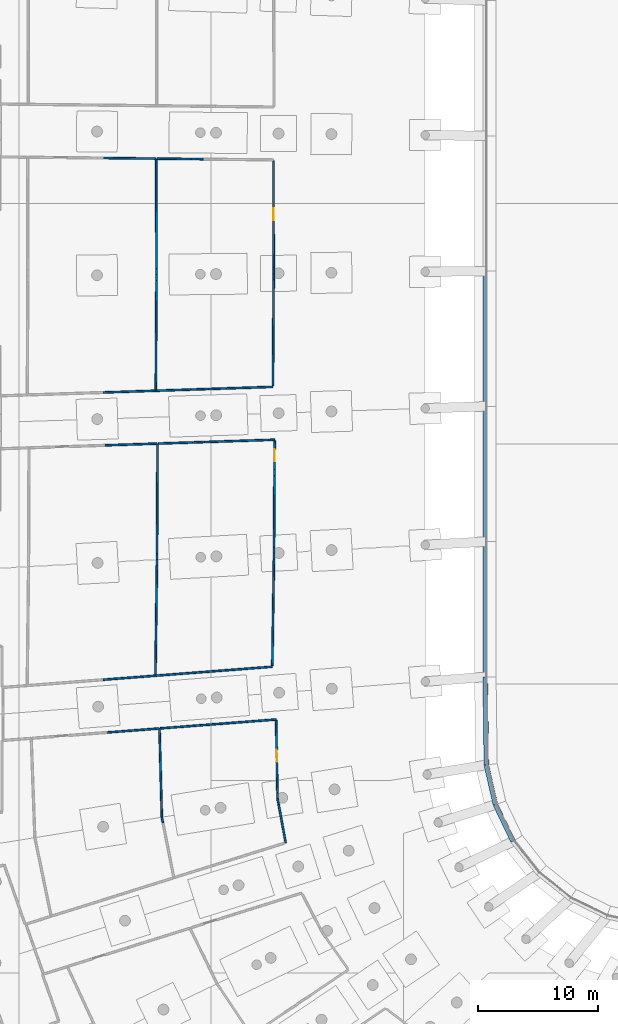
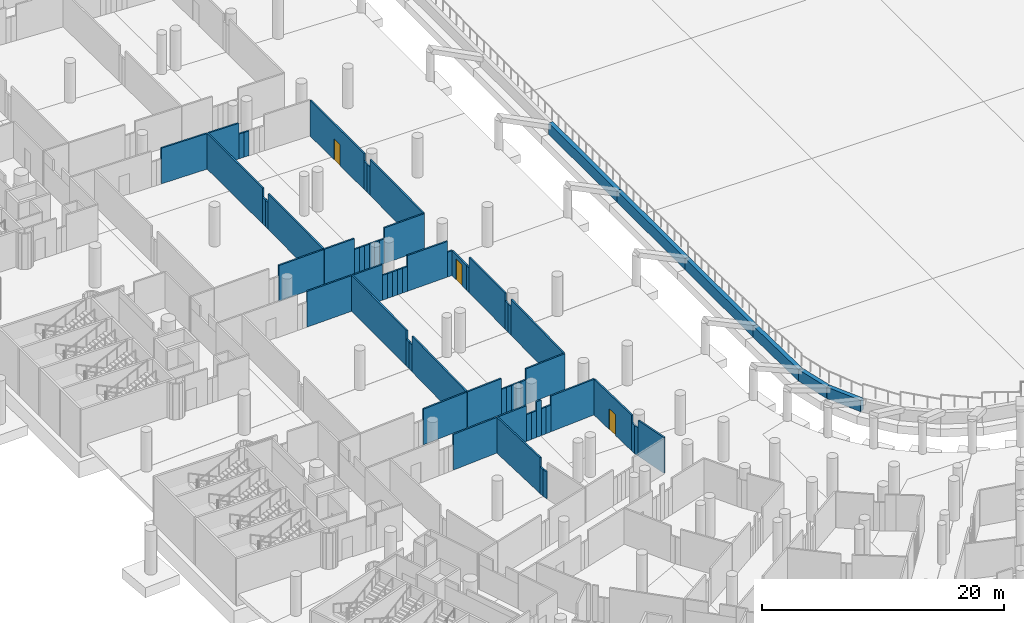
# One storey, part 48 of 142: 69 walls, 3 doors, 3 openings.
"""IFC4 building model written with IfcOpenShell, lengths in metres."""

from ifc_helpers import new_model, si_unit, direction, frame, frame_2d, origin, place, context, subcontext, project, spatial, rectangle, extrude, material, layer, layer_set, type_object, element, fill, save


model = new_model("IFC4")

# Units and contexts
model_context = context("Model", 3, precision=1e-05, world=origin(), true_north=direction((0.0, 1.0)))
body_context = subcontext(model_context, "Body", "Model", "MODEL_VIEW")
ifc_project = project(units=[si_unit("LENGTHUNIT", "METRE"), si_unit("AREAUNIT", "SQUARE_METRE"), si_unit("VOLUMEUNIT", "CUBIC_METRE"), si_unit("PLANEANGLEUNIT", "RADIAN"), si_unit("MASSUNIT", "GRAM", prefix="KILO")], contexts=[model_context])

# Site, building, storey
site_placement = place(None, origin())
site = spatial("IfcSite", under=ifc_project, at=site_placement, CompositionType="ELEMENT")
building_placement = place(site_placement, origin())
building = spatial("IfcBuilding", under=site, at=building_placement, Name="Meseta Stadium", CompositionType="ELEMENT")
storey_placement = place(building_placement, frame((0.0, 0.0, -4.0)))
storey = spatial("IfcBuildingStorey", under=building, at=storey_placement, Name="B1", CompositionType="ELEMENT", Elevation=-4.0)

# Walls
ifc_material_1 = material(Name="Masonry blockwork", Category="masonry")
ifc_layer_1 = layer(ifc_material_1, 0.14990234375)
ifc_layer_set_1 = layer_set([ifc_layer_1], Name="Partition 150")
wall_type_1 = type_object("IfcWallType", Name="Partition 150", PredefinedType="PARTITIONING", material=ifc_layer_set_1)
wall_1_placement = place(storey_placement, frame((-58.86279296875, -15.261474609375, 0.0), z_axis=(0.0, 0.0, 1.0), x_axis=(-0.999459745106, -0.032866668724, 0.0)))
element("IfcWall", 1, at=wall_1_placement, inside=storey, type_object=wall_type_1, Name="Partition B1 B1-cell16-1-0", PredefinedType="PARTITIONING", context=body_context, shape_type="SweptSolid", body=[
    extrude(rectangle(XDim=3.89990234375, YDim=0.14990234375, at=frame_2d((1.949951171875, 0.0))), origin(), (0.0, 0.0, 1.0), 3.60009765625),
])
for number, where, z_axis, x_axis, name in (
    (2, (-62.760498046875, -15.3896484375, 0.0), (0.0, 0.0, 1.0), (-0.999470177511, -0.032547876522, 0.0), "Partition B1 B1-cell16-1-0"),
    (3, (-63.247802734375, -15.405517578125, 0.0), (0.0, 0.0, 1.0), (-0.999453763336, -0.033048070331, 0.0), "Partition B1 B1-cell16-1-0"),
    (4, (-63.735107421875, -15.421630859375, 0.0), (0.0, 0.0, 1.0), (-0.999453763336, -0.033048070331, 0.0), "Partition B1 B1-cell16-1-0"),
):
    element("IfcWall", number, at=place(storey_placement, frame(where, z_axis=z_axis, x_axis=x_axis)), inside=storey, type_object=wall_type_1, Name=name, PredefinedType="PARTITIONING", context=body_context, shape_type="SweptSolid", body=[
        extrude(rectangle(XDim=0.487548828125, YDim=0.14990234375, at=frame_2d((0.24365234375, 0.0))), origin(), (0.0, 0.0, 1.0), 2.5),
    ])
wall_2_placement = place(storey_placement, frame((-64.222412109375, -15.437744140625, 0.0), z_axis=(0.0, 0.0, 1.0), x_axis=(-0.99946964665, -0.032564173951, 0.0)))
element("IfcWall", 5, at=wall_2_placement, inside=storey, type_object=wall_type_1, Name="Partition B1 B1-cell16-1-0", PredefinedType="PARTITIONING", context=body_context, shape_type="SweptSolid", body=[
    extrude(rectangle(XDim=0.4873046875, YDim=0.14990234375, at=frame_2d((0.24365234375, 0.0))), origin(), (0.0, 0.0, 1.0), 2.5),
])
for number, where, z_axis, x_axis, name in (
    (6, (-64.70947265625, -15.45361328125, 0.0), (0.0, 0.0, 1.0), (-0.999453763336, -0.033048070331, 0.0), "Partition B1 B1-cell16-1-0"),
    (7, (-65.19677734375, -15.4697265625, 0.0), (0.0, 0.0, 1.0), (-0.999453763336, -0.033048070331, 0.0), "Partition B1 B1-cell16-1-0"),
):
    element("IfcWall", number, at=place(storey_placement, frame(where, z_axis=z_axis, x_axis=x_axis)), inside=storey, type_object=wall_type_1, Name=name, PredefinedType="PARTITIONING", context=body_context, shape_type="SweptSolid", body=[
        extrude(rectangle(XDim=0.487548828125, YDim=0.14990234375, at=frame_2d((0.24365234375, 0.0))), origin(), (0.0, 0.0, 1.0), 2.5),
    ])
wall_3_placement = place(storey_placement, frame((-65.68408203125, -15.48583984375, 0.0), z_axis=(0.0, 0.0, 1.0), x_axis=(-0.999461822055, -0.032803448811, 0.0)))
element("IfcWall", 8, at=wall_3_placement, inside=storey, type_object=wall_type_1, Name="Partition B1 B1-cell16-1-0", PredefinedType="PARTITIONING", context=body_context, shape_type="SweptSolid", body=[
    extrude(rectangle(XDim=2.9248046875, YDim=0.14990234375, at=frame_2d((1.46240234375, 0.0))), origin(), (0.0, 0.0, 1.0), 3.60009765625),
])
wall_4_placement = place(storey_placement, frame((-68.60693359375, -15.5068359375, 0.0), z_axis=(0.0, 0.0, 1.0), x_axis=(0.006118883866, 0.999981279455, 0.0)))
element("IfcWall", 9, at=wall_4_placement, inside=storey, type_object=wall_type_1, Name="Partition B1 B1-cell16-1-0", PredefinedType="PARTITIONING", context=body_context, shape_type="SweptSolid", body=[
    extrude(rectangle(XDim=9.09716796875, YDim=0.14990234375, at=frame_2d((4.548583984375, 0.0))), origin(), (0.0, 0.0, 1.0), 3.60009765625),
])
wall_5_placement = place(storey_placement, frame((-68.55126953125, -6.409912109375, 0.0), z_axis=(0.0, 0.0, 1.0), x_axis=(0.006066622434, 0.999981597877, 0.0)))
element("IfcWall", 10, at=wall_5_placement, inside=storey, type_object=wall_type_1, Name="Partition B1 B1-cell16-1-0", PredefinedType="PARTITIONING", context=body_context, shape_type="SweptSolid", body=[
    extrude(rectangle(XDim=0.48291015625, YDim=0.14990234375, at=frame_2d((0.241455078125, 0.0))), origin(), (0.0, 0.0, 1.0), 2.699951171875),
])
wall_6_placement = place(storey_placement, frame((-68.54833984375, -5.927001953125, 0.0), z_axis=(0.0, 0.0, 1.0), x_axis=(-0.002529076383, 0.999996801881, 0.0)))
element("IfcWall", 11, at=wall_6_placement, inside=storey, type_object=wall_type_1, Name="Partition B1 B1-cell16-1-0", PredefinedType="PARTITIONING", context=body_context, shape_type="SweptSolid", body=[
    extrude(rectangle(XDim=0.482666015625, YDim=0.14990234375, at=frame_2d((0.2412109375, 0.0))), origin(), (0.0, 0.0, 1.0), 2.699951171875),
])
wall_7_placement = place(storey_placement, frame((-68.549560546875, -5.4443359375, 0.0), z_axis=(0.0, 0.0, 1.0), x_axis=(-0.002502188243, 0.999996869522, 0.0)))
element("IfcWall", 12, at=wall_7_placement, inside=storey, type_object=wall_type_1, Name="Partition B1 B1-cell16-1-0", PredefinedType="PARTITIONING", context=body_context, shape_type="SweptSolid", body=[
    extrude(rectangle(XDim=9.171630859375, YDim=0.14990234375, at=frame_2d((4.5859375, 0.0))), origin(), (0.0, 0.0, 1.0), 3.60009765625),
])
wall_8_placement = place(storey_placement, frame((-68.49755859375, 3.726318359375, 0.0), z_axis=(0.0, 0.0, 1.0), x_axis=(0.999939884591, -0.01096481669, 0.0)))
element("IfcWall", 13, at=wall_8_placement, inside=storey, type_object=wall_type_1, Name="Partition B1 B1-cell16-1-0", PredefinedType="PARTITIONING", context=body_context, shape_type="SweptSolid", body=[
    extrude(rectangle(XDim=2.85009765625, YDim=0.14990234375, at=frame_2d((1.425048828125, 0.0))), origin(), (0.0, 0.0, 1.0), 3.60009765625),
])
for number, where, z_axis, x_axis, name in (
    (14, (-65.647705078125, 3.695068359375, 0.0), (0.0, 0.0, 1.0), (0.999939323614, -0.011015856344, 0.0), "Partition B1 B1-cell16-1-0"),
    (15, (-65.16015625, 3.689697265625, 0.0), (0.0, 0.0, 1.0), (0.999939323614, -0.011015856344, 0.0), "Partition B1 B1-cell16-1-0"),
):
    element("IfcWall", number, at=place(storey_placement, frame(where, z_axis=z_axis, x_axis=x_axis)), inside=storey, type_object=wall_type_1, Name=name, PredefinedType="PARTITIONING", context=body_context, shape_type="SweptSolid", body=[
        extrude(rectangle(XDim=0.487548828125, YDim=0.14990234375, at=frame_2d((0.24365234375, 0.0))), origin(), (0.0, 0.0, 1.0), 2.5),
    ])

# Wall, opening, door
wall_9_placement = place(storey_placement, frame((-58.822998046875, 3.54541015625, 0.0), z_axis=(0.0, 0.0, 1.0), x_axis=(0.002560141365, -0.999996722833, 0.0)))
wall_9 = element("IfcWall", 16, at=wall_9_placement, inside=storey, type_object=wall_type_1, Name="Partition B1 B1-cell16-1-0", PredefinedType="PARTITIONING", context=body_context, shape_type="SweptSolid", body=[
    extrude(rectangle(XDim=8.86865234375, YDim=0.14990234375, at=frame_2d((4.434326171875, 0.0))), origin(), (0.0, 0.0, 1.0), 3.60009765625),
])
opening_1_placement = place(wall_9_placement, frame((3.949951171875, 0.0, 0.0)))
opening_1 = element("IfcOpeningElement", 17, at=opening_1_placement, cuts=wall_9, Name="Opening D479", PredefinedType="OPENING", context=body_context, shape_type="SweptSolid", body=[
    extrude(rectangle(XDim=1.0, YDim=2.10009765625, at=frame_2d((0.5, 1.050048828125))), frame((0.0, 0.0849609375, 0.0), z_axis=(0.0, -1.0, 0.0), x_axis=(1.0, 0.0, 0.0)), (0.0, 0.0, 1.0), 0.169921875),
])
ifc_material_2 = material(Name="Steel", Category="steel")
door_type = type_object("IfcDoorType", Name="Fire door 1000x2100 EI2 60", OperationType="NOTDEFINED", PredefinedType="DOOR", material=ifc_material_2)
door_1_placement = place(opening_1_placement, origin())
door_1 = element("IfcDoor", 18, at=door_1_placement, inside=storey, type_object=door_type, Name="Door D479", OperationType="SINGLE_SWING_RIGHT", OverallHeight=2.10009765625, OverallWidth=1.0, PredefinedType="DOOR", context=body_context, shape_type="SweptSolid", body=[
    extrude(rectangle(XDim=1.0, YDim=2.10009765625, at=frame_2d((0.5, 1.050048828125))), frame((0.0, 0.02490234375, 0.0), z_axis=(0.0, -1.0, 0.0), x_axis=(1.0, 0.0, 0.0)), (0.0, 0.0, 1.0), 0.050048828125),
])
fill(opening_1, door_1)

# Walls
wall_10_placement = place(storey_placement, frame((-58.80029296875, -5.3232421875, 0.0), z_axis=(0.0, 0.0, 1.0), x_axis=(0.002946942017, -0.999995657757, 0.0)))
element("IfcWall", 19, at=wall_10_placement, inside=storey, type_object=wall_type_1, Name="Partition B1 B1-cell16-1-0", PredefinedType="PARTITIONING", context=body_context, shape_type="SweptSolid", body=[
    extrude(rectangle(XDim=0.4970703125, YDim=0.14990234375, at=frame_2d((0.24853515625, 0.0))), origin(), (0.0, 0.0, 1.0), 2.85009765625),
])
wall_11_placement = place(storey_placement, frame((-58.798828125, -5.8203125, 0.0), z_axis=(0.0, 0.0, 1.0), x_axis=(-0.006879444083, -0.999976336345, 0.0)))
element("IfcWall", 20, at=wall_11_placement, inside=storey, type_object=wall_type_1, Name="Partition B1 B1-cell16-1-0", PredefinedType="PARTITIONING", context=body_context, shape_type="SweptSolid", body=[
    extrude(rectangle(XDim=0.496826171875, YDim=0.14990234375, at=frame_2d((0.24853515625, 0.0))), origin(), (0.0, 0.0, 1.0), 2.85009765625),
])
wall_12_placement = place(storey_placement, frame((-58.80224609375, -6.317138671875, 0.0), z_axis=(0.0, 0.0, 1.0), x_axis=(-0.006771480952, -0.99997707326, 0.0)))
element("IfcWall", 21, at=wall_12_placement, inside=storey, type_object=wall_type_1, Name="Partition B1 B1-cell16-1-0", PredefinedType="PARTITIONING", context=body_context, shape_type="SweptSolid", body=[
    extrude(rectangle(XDim=8.869384765625, YDim=0.14990234375, at=frame_2d((4.4345703125, 0.0))), origin(), (0.0, 0.0, 1.0), 3.60009765625),
])
for number, where, z_axis, x_axis, name in (
    (22, (-68.6572265625, -15.58349609375, 0.0), (0.0, 0.0, 1.0), (-0.999458873683, -0.032893157594, 0.0), "Partition B1 B1-cell16-2-0"),
    (23, (-72.97900390625, 3.775390625, 0.0), (0.0, 0.0, 1.0), (0.999940300976, -0.010926778296, 0.0), "Partition B1 B1-cell16-2-0"),
):
    element("IfcWall", number, at=place(storey_placement, frame(where, z_axis=z_axis, x_axis=x_axis)), inside=storey, type_object=wall_type_1, Name=name, PredefinedType="PARTITIONING", context=body_context, shape_type="SweptSolid", body=[
        extrude(rectangle(XDim=4.35693359375, YDim=0.14990234375, at=frame_2d((2.178466796875, 0.0))), origin(), (0.0, 0.0, 1.0), 3.60009765625),
    ])
wall_13_placement = place(storey_placement, frame((-58.916259765625, -38.543701171875, 0.0), z_axis=(0.0, 0.0, 1.0), x_axis=(-0.997069564425, -0.076500220238, 0.0)))
element("IfcWall", 24, at=wall_13_placement, inside=storey, type_object=wall_type_1, Name="Partition B1 B1-cell17-1-0", PredefinedType="PARTITIONING", context=body_context, shape_type="SweptSolid", body=[
    extrude(rectangle(XDim=3.89990234375, YDim=0.14990234375, at=frame_2d((1.949951171875, 0.0))), origin(), (0.0, 0.0, 1.0), 3.60009765625),
])
for number, where, z_axis, x_axis, name in (
    (25, (-62.8046875, -38.842041015625, 0.0), (0.0, 0.0, 1.0), (-0.997060374133, -0.076619908208, 0.0), "Partition B1 B1-cell17-1-0"),
    (26, (-63.290771484375, -38.87939453125, 0.0), (0.0, 0.0, 1.0), (-0.997060374133, -0.076619908208, 0.0), "Partition B1 B1-cell17-1-0"),
    (27, (-63.77685546875, -38.916748046875, 0.0), (0.0, 0.0, 1.0), (-0.997060374133, -0.076619908208, 0.0), "Partition B1 B1-cell17-1-0"),
    (28, (-64.262939453125, -38.9541015625, 0.0), (0.0, 0.0, 1.0), (-0.997060374133, -0.076619908208, 0.0), "Partition B1 B1-cell17-1-0"),
    (29, (-64.7490234375, -38.991455078125, 0.0), (0.0, 0.0, 1.0), (-0.997060374133, -0.076619908208, 0.0), "Partition B1 B1-cell17-1-0"),
):
    element("IfcWall", number, at=place(storey_placement, frame(where, z_axis=z_axis, x_axis=x_axis)), inside=storey, type_object=wall_type_1, Name=name, PredefinedType="PARTITIONING", context=body_context, shape_type="SweptSolid", body=[
        extrude(rectangle(XDim=0.487548828125, YDim=0.14990234375, at=frame_2d((0.24365234375, 0.0))), origin(), (0.0, 0.0, 1.0), 2.5),
    ])
wall_14_placement = place(storey_placement, frame((-65.235107421875, -39.02880859375, 0.0), z_axis=(0.0, 0.0, 1.0), x_axis=(-0.997071294737, -0.076477664783, 0.0)))
element("IfcWall", 30, at=wall_14_placement, inside=storey, type_object=wall_type_1, Name="Partition B1 B1-cell17-1-0", PredefinedType="PARTITIONING", context=body_context, shape_type="SweptSolid", body=[
    extrude(rectangle(XDim=3.41259765625, YDim=0.14990234375, at=frame_2d((1.706298828125, 0.0))), origin(), (0.0, 0.0, 1.0), 3.60009765625),
])
wall_15_placement = place(storey_placement, frame((-68.63671875, -39.214599609375, 0.0), z_axis=(0.0, 0.0, 1.0), x_axis=(0.013361477522, 0.999910731475, 0.0)))
element("IfcWall", 31, at=wall_15_placement, inside=storey, type_object=wall_type_1, Name="Partition B1 B1-cell17-1-0", PredefinedType="PARTITIONING", context=body_context, shape_type="SweptSolid", body=[
    extrude(rectangle(XDim=9.099365234375, YDim=0.14990234375, at=frame_2d((4.5498046875, 0.0))), origin(), (0.0, 0.0, 1.0), 3.60009765625),
])
wall_16_placement = place(storey_placement, frame((-68.51513671875, -30.115966796875, 0.0), z_axis=(0.0, 0.0, 1.0), x_axis=(0.013150102112, 0.999913533669, 0.0)))
element("IfcWall", 32, at=wall_16_placement, inside=storey, type_object=wall_type_1, Name="Partition B1 B1-cell17-1-0", PredefinedType="PARTITIONING", context=body_context, shape_type="SweptSolid", body=[
    extrude(rectangle(XDim=0.482666015625, YDim=0.14990234375, at=frame_2d((0.2412109375, 0.0))), origin(), (0.0, 0.0, 1.0), 2.699951171875),
])
wall_17_placement = place(storey_placement, frame((-68.5087890625, -29.63330078125, 0.0), z_axis=(0.0, 0.0, 1.0), x_axis=(0.005055547122, 0.99998722064, 0.0)))
element("IfcWall", 33, at=wall_17_placement, inside=storey, type_object=wall_type_1, Name="Partition B1 B1-cell17-1-0", PredefinedType="PARTITIONING", context=body_context, shape_type="SweptSolid", body=[
    extrude(rectangle(XDim=0.48291015625, YDim=0.14990234375, at=frame_2d((0.241455078125, 0.0))), origin(), (0.0, 0.0, 1.0), 2.699951171875),
])
wall_18_placement = place(storey_placement, frame((-68.50634765625, -29.150390625, 0.0), z_axis=(0.0, 0.0, 1.0), x_axis=(0.004738526292, 0.999988773121, 0.0)))
element("IfcWall", 34, at=wall_18_placement, inside=storey, type_object=wall_type_1, Name="Partition B1 B1-cell17-1-0", PredefinedType="PARTITIONING", context=body_context, shape_type="SweptSolid", body=[
    extrude(rectangle(XDim=9.1708984375, YDim=0.14990234375, at=frame_2d((4.58544921875, 0.0))), origin(), (0.0, 0.0, 1.0), 3.60009765625),
])
wall_19_placement = place(storey_placement, frame((-68.3876953125, -19.97705078125, 0.0), z_axis=(0.0, 0.0, 1.0), x_axis=(0.99945879552, 0.032895532483, 0.0)))
element("IfcWall", 35, at=wall_19_placement, inside=storey, type_object=wall_type_1, Name="Partition B1 B1-cell17-1-0", PredefinedType="PARTITIONING", context=body_context, shape_type="SweptSolid", body=[
    extrude(rectangle(XDim=2.849853515625, YDim=0.14990234375, at=frame_2d((1.4248046875, 0.0))), origin(), (0.0, 0.0, 1.0), 3.60009765625),
])
wall_20_placement = place(storey_placement, frame((-65.539306640625, -19.88330078125, 0.0), z_axis=(0.0, 0.0, 1.0), x_axis=(0.999470177511, 0.032547876522, 0.0)))
element("IfcWall", 36, at=wall_20_placement, inside=storey, type_object=wall_type_1, Name="Partition B1 B1-cell17-1-0", PredefinedType="PARTITIONING", context=body_context, shape_type="SweptSolid", body=[
    extrude(rectangle(XDim=0.487548828125, YDim=0.14990234375, at=frame_2d((0.24365234375, 0.0))), origin(), (0.0, 0.0, 1.0), 2.5),
])
wall_21_placement = place(storey_placement, frame((-65.052001953125, -19.867431640625, 0.0), z_axis=(0.0, 0.0, 1.0), x_axis=(0.999453216043, 0.033064617674, 0.0)))
element("IfcWall", 37, at=wall_21_placement, inside=storey, type_object=wall_type_1, Name="Partition B1 B1-cell17-1-0", PredefinedType="PARTITIONING", context=body_context, shape_type="SweptSolid", body=[
    extrude(rectangle(XDim=0.4873046875, YDim=0.14990234375, at=frame_2d((0.24365234375, 0.0))), origin(), (0.0, 0.0, 1.0), 2.5),
])
for number, where, z_axis, x_axis, name in (
    (38, (-64.56494140625, -19.851318359375, 0.0), (0.0, 0.0, 1.0), (0.999453763336, 0.033048070331, 0.0), "Partition B1 B1-cell17-1-0"),
    (39, (-64.07763671875, -19.835205078125, 0.0), (0.0, 0.0, 1.0), (0.999470177511, 0.032547876522, 0.0), "Partition B1 B1-cell17-1-0"),
):
    element("IfcWall", number, at=place(storey_placement, frame(where, z_axis=z_axis, x_axis=x_axis)), inside=storey, type_object=wall_type_1, Name=name, PredefinedType="PARTITIONING", context=body_context, shape_type="SweptSolid", body=[
        extrude(rectangle(XDim=0.487548828125, YDim=0.14990234375, at=frame_2d((0.24365234375, 0.0))), origin(), (0.0, 0.0, 1.0), 2.5),
    ])
wall_22_placement = place(storey_placement, frame((-63.59033203125, -19.8193359375, 0.0), z_axis=(0.0, 0.0, 1.0), x_axis=(0.999453216043, 0.033064617674, 0.0)))
element("IfcWall", 40, at=wall_22_placement, inside=storey, type_object=wall_type_1, Name="Partition B1 B1-cell17-1-0", PredefinedType="PARTITIONING", context=body_context, shape_type="SweptSolid", body=[
    extrude(rectangle(XDim=0.4873046875, YDim=0.14990234375, at=frame_2d((0.24365234375, 0.0))), origin(), (0.0, 0.0, 1.0), 2.5),
])
wall_23_placement = place(storey_placement, frame((-63.103271484375, -19.80322265625, 0.0), z_axis=(0.0, 0.0, 1.0), x_axis=(0.999459812725, 0.032864612406, 0.0)))
element("IfcWall", 41, at=wall_23_placement, inside=storey, type_object=wall_type_1, Name="Partition B1 B1-cell17-1-0", PredefinedType="PARTITIONING", context=body_context, shape_type="SweptSolid", body=[
    extrude(rectangle(XDim=3.900146484375, YDim=0.14990234375, at=frame_2d((1.9501953125, 0.0))), origin(), (0.0, 0.0, 1.0), 3.60009765625),
])
wall_24_placement = place(storey_placement, frame((-59.205322265625, -19.675048828125, 0.0), z_axis=(0.0, 0.0, 1.0), x_axis=(0.999453763336, 0.033048070331, 0.0)))
element("IfcWall", 42, at=wall_24_placement, inside=storey, type_object=wall_type_1, Name="Partition B1 B1-cell17-1-0", PredefinedType="PARTITIONING", context=body_context, shape_type="SweptSolid", body=[
    extrude(rectangle(XDim=0.487548828125, YDim=0.14990234375, at=frame_2d((0.24365234375, 0.0))), origin(), (0.0, 0.0, 1.0), 2.5),
])

# Wall, opening, door
wall_25_placement = place(storey_placement, frame((-58.718505859375, -19.734130859375, 0.0), z_axis=(0.0, 0.0, 1.0), x_axis=(-0.005877482589, -0.99998272745, 0.0)))
wall_25 = element("IfcWall", 43, at=wall_25_placement, inside=storey, type_object=wall_type_1, Name="Partition B1 B1-cell17-1-0", PredefinedType="PARTITIONING", context=body_context, shape_type="SweptSolid", body=[
    extrude(rectangle(XDim=2.4091796875, YDim=0.14990234375, at=frame_2d((1.20458984375, 0.0))), origin(), (0.0, 0.0, 1.0), 2.5),
])
opening_2_placement = place(wall_25_placement, frame((0.699951171875, 0.0, 0.0)))
opening_2 = element("IfcOpeningElement", 44, at=opening_2_placement, cuts=wall_25, Name="Opening D482", PredefinedType="OPENING", context=body_context, shape_type="SweptSolid", body=[
    extrude(rectangle(XDim=1.0, YDim=2.10009765625, at=frame_2d((0.5, 1.050048828125))), frame((0.0, 0.0849609375, 0.0), z_axis=(0.0, -1.0, 0.0), x_axis=(1.0, 0.0, 0.0)), (0.0, 0.0, 1.0), 0.169921875),
])
door_2_placement = place(opening_2_placement, origin())
door_2 = element("IfcDoor", 45, at=door_2_placement, inside=storey, type_object=door_type, Name="Door D482", OperationType="SINGLE_SWING_RIGHT", OverallHeight=2.10009765625, OverallWidth=1.0, PredefinedType="DOOR", context=body_context, shape_type="SweptSolid", body=[
    extrude(rectangle(XDim=1.0, YDim=2.10009765625, at=frame_2d((0.5, 1.050048828125))), frame((0.0, 0.02490234375, 0.0), z_axis=(0.0, -1.0, 0.0), x_axis=(1.0, 0.0, 0.0)), (0.0, 0.0, 1.0), 0.050048828125),
])
fill(opening_2, door_2)

# Walls
wall_26_placement = place(storey_placement, frame((-58.732666015625, -22.143310546875, 0.0), z_axis=(0.0, 0.0, 1.0), x_axis=(-0.005896703377, -0.999982614294, 0.0)))
element("IfcWall", 46, at=wall_26_placement, inside=storey, type_object=wall_type_1, Name="Partition B1 B1-cell17-1-0", PredefinedType="PARTITIONING", context=body_context, shape_type="SweptSolid", body=[
    extrude(rectangle(XDim=0.496826171875, YDim=0.14990234375, at=frame_2d((0.24853515625, 0.0))), origin(), (0.0, 0.0, 1.0), 2.5),
])
wall_27_placement = place(storey_placement, frame((-58.735595703125, -22.64013671875, 0.0), z_axis=(0.0, 0.0, 1.0), x_axis=(-0.005855275926, -0.999982857725, 0.0)))
element("IfcWall", 47, at=wall_27_placement, inside=storey, type_object=wall_type_1, Name="Partition B1 B1-cell17-1-0", PredefinedType="PARTITIONING", context=body_context, shape_type="SweptSolid", body=[
    extrude(rectangle(XDim=5.96240234375, YDim=0.14990234375, at=frame_2d((2.981201171875, 0.0))), origin(), (0.0, 0.0, 1.0), 3.60009765625),
])
wall_28_placement = place(storey_placement, frame((-58.7705078125, -28.6025390625, 0.0), z_axis=(0.0, 0.0, 1.0), x_axis=(-0.005405326438, -0.999985391116, 0.0)))
element("IfcWall", 48, at=wall_28_placement, inside=storey, type_object=wall_type_1, Name="Partition B1 B1-cell17-1-0", PredefinedType="PARTITIONING", context=body_context, shape_type="SweptSolid", body=[
    extrude(rectangle(XDim=0.496826171875, YDim=0.14990234375, at=frame_2d((0.24853515625, 0.0))), origin(), (0.0, 0.0, 1.0), 2.85009765625),
])
wall_29_placement = place(storey_placement, frame((-58.773193359375, -29.099365234375, 0.0), z_axis=(0.0, 0.0, 1.0), x_axis=(-0.015224168602, -0.999884105629, 0.0)))
element("IfcWall", 49, at=wall_29_placement, inside=storey, type_object=wall_type_1, Name="Partition B1 B1-cell17-1-0", PredefinedType="PARTITIONING", context=body_context, shape_type="SweptSolid", body=[
    extrude(rectangle(XDim=0.4970703125, YDim=0.14990234375, at=frame_2d((0.24853515625, 0.0))), origin(), (0.0, 0.0, 1.0), 2.85009765625),
])
wall_30_placement = place(storey_placement, frame((-58.78076171875, -29.596435546875, 0.0), z_axis=(0.0, 0.0, 1.0), x_axis=(-0.015133104524, -0.999885488017, 0.0)))
element("IfcWall", 50, at=wall_30_placement, inside=storey, type_object=wall_type_1, Name="Partition B1 B1-cell17-1-0", PredefinedType="PARTITIONING", context=body_context, shape_type="SweptSolid", body=[
    extrude(rectangle(XDim=8.873046875, YDim=0.14990234375, at=frame_2d((4.4365234375, 0.0))), origin(), (0.0, 0.0, 1.0), 3.60009765625),
])
wall_31_placement = place(storey_placement, frame((-68.6875, -39.293701171875, 0.0), z_axis=(0.0, 0.0, 1.0), x_axis=(-0.997066011247, -0.076546516684, 0.0)))
element("IfcWall", 51, at=wall_31_placement, inside=storey, type_object=wall_type_1, Name="Partition B1 B1-cell17-2-0", PredefinedType="PARTITIONING", context=body_context, shape_type="SweptSolid", body=[
    extrude(rectangle(XDim=4.356689453125, YDim=0.14990234375, at=frame_2d((2.17822265625, 0.0))), origin(), (0.0, 0.0, 1.0), 3.60009765625),
])
wall_32_placement = place(storey_placement, frame((-72.8671875, -20.12451171875, 0.0), z_axis=(0.0, 0.0, 1.0), x_axis=(0.999458873683, 0.032893157594, 0.0)))
element("IfcWall", 52, at=wall_32_placement, inside=storey, type_object=wall_type_1, Name="Partition B1 B1-cell17-2-0", PredefinedType="PARTITIONING", context=body_context, shape_type="SweptSolid", body=[
    extrude(rectangle(XDim=4.35693359375, YDim=0.14990234375, at=frame_2d((2.178466796875, 0.0))), origin(), (0.0, 0.0, 1.0), 3.60009765625),
])
wall_33_placement = place(storey_placement, frame((-68.01416015625, -51.51806640625, 0.0), z_axis=(0.0, 0.0, 1.0), x_axis=(-0.195010055253, 0.980801243041, 0.0)))
element("IfcWall", 53, at=wall_33_placement, inside=storey, type_object=wall_type_1, Name="Partition B1 B1-cell18-1-0", PredefinedType="PARTITIONING", context=body_context, shape_type="SweptSolid", body=[
    extrude(rectangle(XDim=0.467041015625, YDim=0.14990234375, at=frame_2d((0.2333984375, 0.0))), origin(), (0.0, 0.0, 1.0), 2.699951171875),
])
wall_34_placement = place(storey_placement, frame((-68.105224609375, -51.06005859375, 0.0), z_axis=(0.0, 0.0, 1.0), x_axis=(-0.026280602223, 0.999654605325, 0.0)))
element("IfcWall", 54, at=wall_34_placement, inside=storey, type_object=wall_type_1, Name="Partition B1 B1-cell18-1-0", PredefinedType="PARTITIONING", context=body_context, shape_type="SweptSolid", body=[
    extrude(rectangle(XDim=0.492431640625, YDim=0.14990234375, at=frame_2d((0.24609375, 0.0))), origin(), (0.0, 0.0, 1.0), 2.699951171875),
])
wall_35_placement = place(storey_placement, frame((-68.1181640625, -50.56787109375, 0.0), z_axis=(0.0, 0.0, 1.0), x_axis=(-0.026492027296, 0.999649024653, 0.0)))
element("IfcWall", 55, at=wall_35_placement, inside=storey, type_object=wall_type_1, Name="Partition B1 B1-cell18-1-0", PredefinedType="PARTITIONING", context=body_context, shape_type="SweptSolid", body=[
    extrude(rectangle(XDim=6.893310546875, YDim=0.14990234375, at=frame_2d((3.44677734375, 0.0))), origin(), (0.0, 0.0, 1.0), 3.60009765625),
])
wall_36_placement = place(storey_placement, frame((-68.22607421875, -43.671142578125, 0.0), z_axis=(0.0, 0.0, 1.0), x_axis=(0.997070622123, 0.076486433432, 0.0)))
element("IfcWall", 56, at=wall_36_placement, inside=storey, type_object=wall_type_1, Name="Partition B1 B1-cell18-1-0", PredefinedType="PARTITIONING", context=body_context, shape_type="SweptSolid", body=[
    extrude(rectangle(XDim=2.843994140625, YDim=0.14990234375, at=frame_2d((1.421875, 0.0))), origin(), (0.0, 0.0, 1.0), 3.60009765625),
])
for number, where, z_axis, x_axis, name in (
    (57, (-65.390380859375, -43.45361328125, 0.0), (0.0, 0.0, 1.0), (0.997048579185, 0.076773242383, 0.0), "Partition B1 B1-cell18-1-0"),
    (58, (-64.9052734375, -43.416259765625, 0.0), (0.0, 0.0, 1.0), (0.997086865897, 0.076274385313, 0.0), "Partition B1 B1-cell18-1-0"),
):
    element("IfcWall", number, at=place(storey_placement, frame(where, z_axis=z_axis, x_axis=x_axis)), inside=storey, type_object=wall_type_1, Name=name, PredefinedType="PARTITIONING", context=body_context, shape_type="SweptSolid", body=[
        extrude(rectangle(XDim=0.486572265625, YDim=0.14990234375, at=frame_2d((0.2431640625, 0.0))), origin(), (0.0, 0.0, 1.0), 2.699951171875),
    ])
wall_37_placement = place(storey_placement, frame((-64.420166015625, -43.379150390625, 0.0), z_axis=(0.0, 0.0, 1.0), x_axis=(0.997048579185, 0.076773242383, 0.0)))
element("IfcWall", 59, at=wall_37_placement, inside=storey, type_object=wall_type_1, Name="Partition B1 B1-cell18-1-0", PredefinedType="PARTITIONING", context=body_context, shape_type="SweptSolid", body=[
    extrude(rectangle(XDim=0.486572265625, YDim=0.14990234375, at=frame_2d((0.2431640625, 0.0))), origin(), (0.0, 0.0, 1.0), 3.60009765625),
])
wall_38_placement = place(storey_placement, frame((-63.93505859375, -43.341796875, 0.0), z_axis=(0.0, 0.0, 1.0), x_axis=(0.997086865897, 0.076274385313, 0.0)))
element("IfcWall", 60, at=wall_38_placement, inside=storey, type_object=wall_type_1, Name="Partition B1 B1-cell18-1-0", PredefinedType="PARTITIONING", context=body_context, shape_type="SweptSolid", body=[
    extrude(rectangle(XDim=0.486572265625, YDim=0.14990234375, at=frame_2d((0.2431640625, 0.0))), origin(), (0.0, 0.0, 1.0), 2.699951171875),
])
wall_39_placement = place(storey_placement, frame((-63.449951171875, -43.3046875, 0.0), z_axis=(0.0, 0.0, 1.0), x_axis=(0.997045619372, 0.076811671583, 0.0)))
element("IfcWall", 61, at=wall_39_placement, inside=storey, type_object=wall_type_1, Name="Partition B1 B1-cell18-1-0", PredefinedType="PARTITIONING", context=body_context, shape_type="SweptSolid", body=[
    extrude(rectangle(XDim=0.486328125, YDim=0.14990234375, at=frame_2d((0.2431640625, 0.0))), origin(), (0.0, 0.0, 1.0), 2.699951171875),
])
wall_40_placement = place(storey_placement, frame((-62.965087890625, -43.267333984375, 0.0), z_axis=(0.0, 0.0, 1.0), x_axis=(0.997069880031, 0.07649610666, 0.0)))
element("IfcWall", 62, at=wall_40_placement, inside=storey, type_object=wall_type_1, Name="Partition B1 B1-cell18-1-0", PredefinedType="PARTITIONING", context=body_context, shape_type="SweptSolid", body=[
    extrude(rectangle(XDim=4.37890625, YDim=0.14990234375, at=frame_2d((2.189453125, 0.0))), origin(), (0.0, 0.0, 1.0), 3.60009765625),
])

# Wall, opening, door
wall_41_placement = place(storey_placement, frame((-58.597900390625, -43.00732421875, 0.0), z_axis=(0.0, 0.0, 1.0), x_axis=(0.018249418954, -0.999833465487, 0.0)))
wall_41 = element("IfcWall", 63, at=wall_41_placement, inside=storey, type_object=wall_type_1, Name="Partition B1 B1-cell18-1-0", PredefinedType="PARTITIONING", context=body_context, shape_type="SweptSolid", body=[
    extrude(rectangle(XDim=6.033447265625, YDim=0.14990234375, at=frame_2d((3.0166015625, 0.0))), origin(), (0.0, 0.0, 1.0), 3.60009765625),
])
opening_3_placement = place(wall_41_placement, frame((2.449951171875, 0.0, 0.0)))
opening_3 = element("IfcOpeningElement", 64, at=opening_3_placement, cuts=wall_41, Name="Opening D485", PredefinedType="OPENING", context=body_context, shape_type="SweptSolid", body=[
    extrude(rectangle(XDim=1.0, YDim=2.10009765625, at=frame_2d((0.5, 1.050048828125))), frame((0.0, 0.0849609375, 0.0), z_axis=(0.0, -1.0, 0.0), x_axis=(1.0, 0.0, 0.0)), (0.0, 0.0, 1.0), 0.169921875),
])
door_3_placement = place(opening_3_placement, origin())
door_3 = element("IfcDoor", 65, at=door_3_placement, inside=storey, type_object=door_type, Name="Door D485", OperationType="SINGLE_SWING_LEFT", OverallHeight=2.10009765625, OverallWidth=1.0, PredefinedType="DOOR", context=body_context, shape_type="SweptSolid", body=[
    extrude(rectangle(XDim=1.0, YDim=2.10009765625, at=frame_2d((0.5, 1.050048828125))), frame((0.0, 0.02490234375, 0.0), z_axis=(0.0, -1.0, 0.0), x_axis=(1.0, 0.0, 0.0)), (0.0, 0.0, 1.0), 0.050048828125),
])
fill(opening_3, door_3)

# Walls
wall_42_placement = place(storey_placement, frame((-58.48779296875, -49.039794921875, 0.0), z_axis=(0.0, 0.0, 1.0), x_axis=(0.018188258991, -0.999834579936, 0.0)))
element("IfcWall", 66, at=wall_42_placement, inside=storey, type_object=wall_type_1, Name="Partition B1 B1-cell18-1-0", PredefinedType="PARTITIONING", context=body_context, shape_type="SweptSolid", body=[
    extrude(rectangle(XDim=0.4697265625, YDim=0.14990234375, at=frame_2d((0.23486328125, 0.0))), origin(), (0.0, 0.0, 1.0), 2.85009765625),
])
wall_43_placement = place(storey_placement, frame((-58.479248046875, -49.509521484375, 0.0), z_axis=(0.0, 0.0, 1.0), x_axis=(0.18150856862, -0.98338936313, 0.0)))
element("IfcWall", 67, at=wall_43_placement, inside=storey, type_object=wall_type_1, Name="Partition B1 B1-cell18-1-0", PredefinedType="PARTITIONING", context=body_context, shape_type="SweptSolid", body=[
    extrude(rectangle(XDim=0.466796875, YDim=0.14990234375, at=frame_2d((0.2333984375, 0.0))), origin(), (0.0, 0.0, 1.0), 2.85009765625),
])
wall_44_placement = place(storey_placement, frame((-58.39453125, -49.968505859375, 0.0), z_axis=(0.0, 0.0, 1.0), x_axis=(0.181647570002, -0.983363696865, 0.0)))
element("IfcWall", 68, at=wall_44_placement, inside=storey, type_object=wall_type_1, Name="Partition B1 B1-cell18-1-0", PredefinedType="PARTITIONING", context=body_context, shape_type="SweptSolid", body=[
    extrude(rectangle(XDim=3.26611328125, YDim=0.14990234375, at=frame_2d((1.633056640625, 0.0))), origin(), (0.0, 0.0, 1.0), 3.60009765625),
])
wall_45_placement = place(storey_placement, frame((-72.69482421875, -44.01416015625, 0.0), z_axis=(0.0, 0.0, 1.0), x_axis=(0.997070286559, 0.076490807686, 0.0)))
element("IfcWall", 69, at=wall_45_placement, inside=storey, type_object=wall_type_1, Name="Partition B1 B1-cell18-2-0", PredefinedType="PARTITIONING", context=body_context, shape_type="SweptSolid", body=[
    extrude(rectangle(XDim=4.356689453125, YDim=0.14990234375, at=frame_2d((2.17822265625, 0.0))), origin(), (0.0, 0.0, 1.0), 3.60009765625),
])
ifc_material_3 = material(Name="Concrete C40/50", Category="concrete")
ifc_layer_2 = layer(ifc_material_3, 0.39990234375)
ifc_layer_set_2 = layer_set([ifc_layer_2], Name="Pitch wall 400")
wall_type_2 = type_object("IfcWallType", Name="Pitch wall 400", PredefinedType="SOLIDWALL", material=ifc_layer_set_2)
for number, where, z_axis, x_axis, name in (
    (70, (-41.199951171875, -5.627197265625, -0.39990234375), (0.0, 0.0, 1.0), (0.0, -1.0, 0.0), "Pitch wall bay 34"),
    (71, (-41.199951171875, -16.881591796875, -0.39990234375), (0.0, 0.0, 1.0), (2.1692915e-05, -0.999999999765, 0.0), "Pitch wall bay 35"),
    (72, (-41.19970703125, -28.135986328125, -0.39990234375), (0.0, 0.0, 1.0), (2.1692915e-05, -0.999999999765, 0.0), "Pitch wall bay 36"),
):
    element("IfcWall", number, at=place(storey_placement, frame(where, z_axis=z_axis, x_axis=x_axis)), inside=storey, type_object=wall_type_2, Name=name, PredefinedType="SOLIDWALL", context=body_context, shape_type="SweptSolid", body=[
        extrude(rectangle(XDim=11.25439453125, YDim=0.39990234375, at=frame_2d((5.627197265625, 0.0))), origin(), (0.0, 0.0, 1.0), 1.158935546875),
    ])
wall_46_placement = place(storey_placement, frame((-41.199462890625, -39.390380859375, -0.39990234375), z_axis=(0.0, 0.0, 1.0), x_axis=(0.013171671235, -0.999913249776, 0.0)))
element("IfcWall", 73, at=wall_46_placement, inside=storey, type_object=wall_type_2, Name="Pitch wall bay 37", PredefinedType="SOLIDWALL", context=body_context, shape_type="SweptSolid", body=[
    extrude(rectangle(XDim=7.321533203125, YDim=0.39990234375, at=frame_2d((3.66064453125, 0.0))), origin(), (0.0, 0.0, 1.0), 1.158935546875),
])
for number, where, z_axis, x_axis, name in (
    (74, (-41.10302734375, -46.711181640625, -0.39990234375), (0.0, 0.0, 1.0), (0.222543009521, -0.974922873315, 0.0), "Pitch wall bay 38"),
    (75, (-40.34912109375, -50.013916015625, -0.39990234375), (0.0, 0.0, 1.0), (0.433323702039, -0.901238353185, 0.0), "Pitch wall bay 39"),
):
    element("IfcWall", number, at=place(storey_placement, frame(where, z_axis=z_axis, x_axis=x_axis)), inside=storey, type_object=wall_type_2, Name=name, PredefinedType="SOLIDWALL", context=body_context, shape_type="SweptSolid", body=[
        extrude(rectangle(XDim=3.3876953125, YDim=0.39990234375, at=frame_2d((1.69384765625, 0.0))), origin(), (0.0, 0.0, 1.0), 1.15869140625),
    ])

save(model, "model.ifc")
